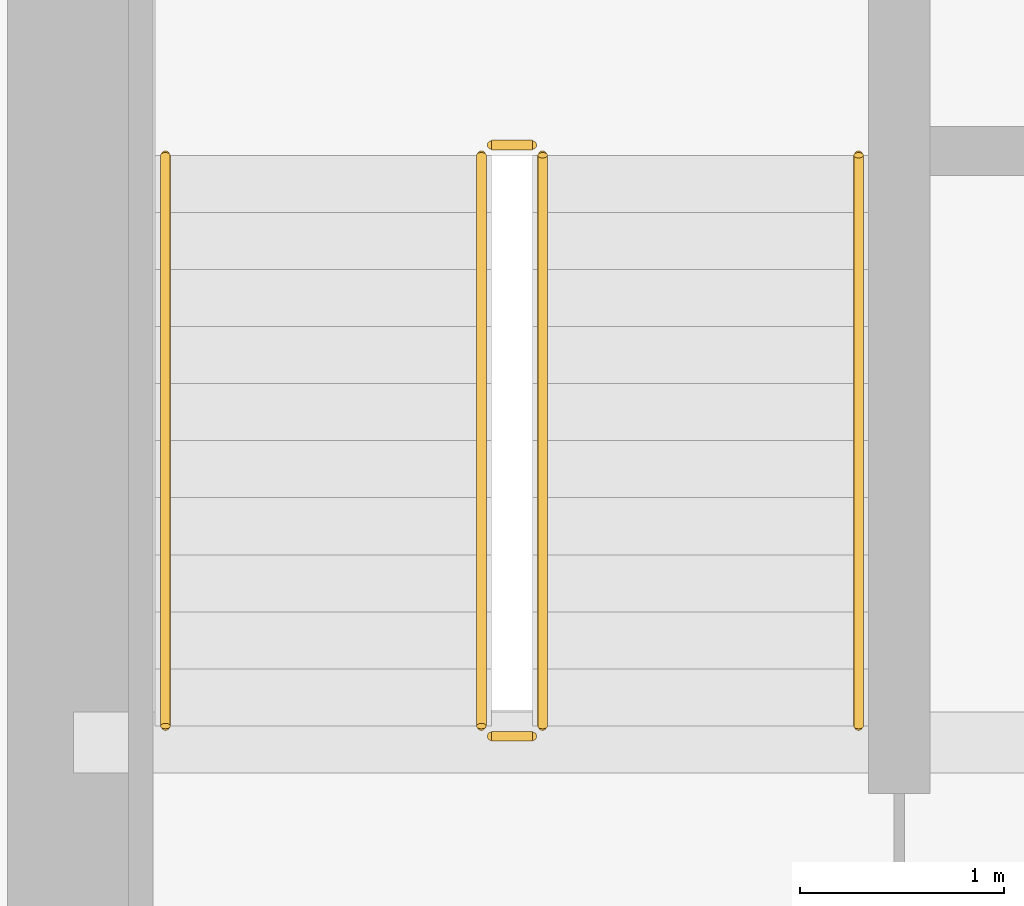
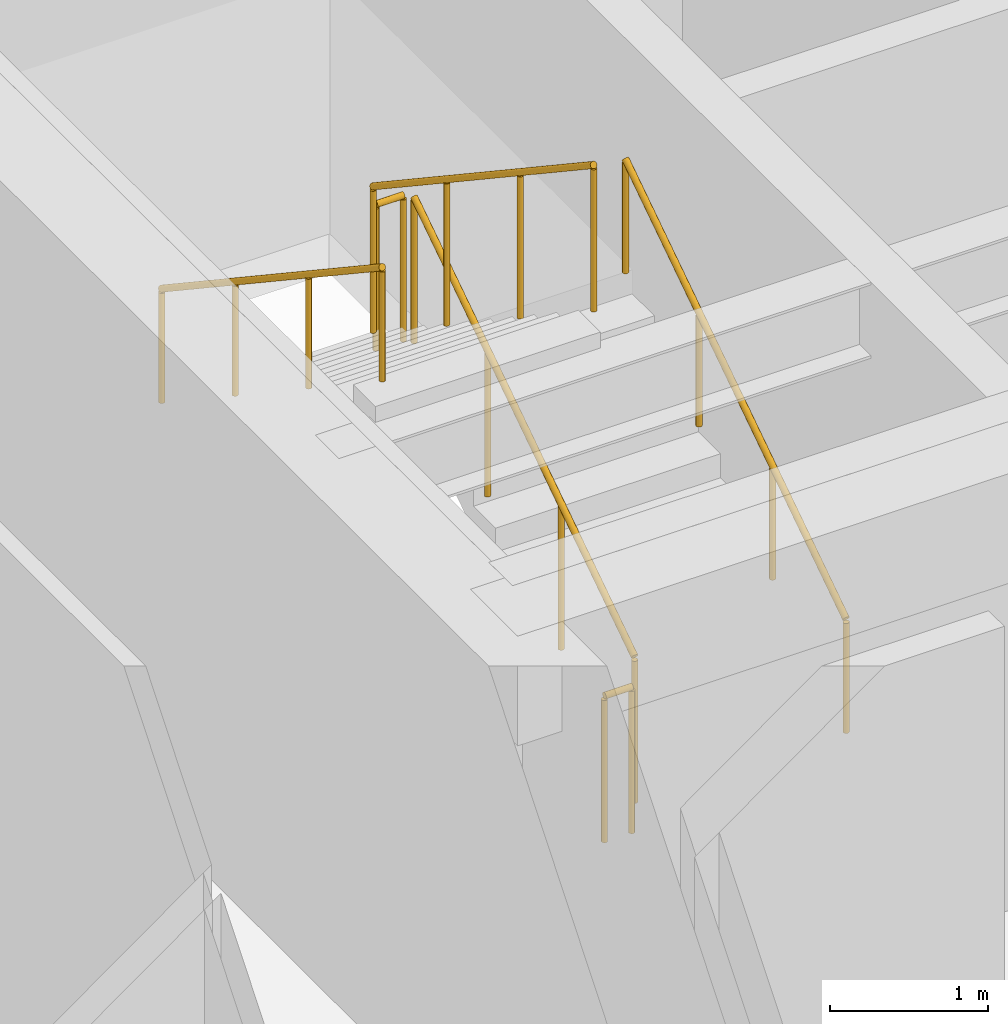
# One storey, part 29 of 30: 6 railings.
"""IFC4 building model written with IfcOpenShell, lengths in metres."""

from ifc_helpers import new_model, si_unit, direction, frame, origin, origin_2d, place, context, subcontext, project, spatial, circle, extrude, source, transform, mapped, material, type_object, type_shapes, element, save


model = new_model("IFC4")

# Units and contexts
model_context = context("Model", 3, precision=1e-05, world=origin(), true_north=direction((0.0, 1.0)))
body_context = subcontext(model_context, "Body", "Model", "MODEL_VIEW")
ifc_project = project(units=[si_unit("LENGTHUNIT", "METRE"), si_unit("AREAUNIT", "SQUARE_METRE"), si_unit("VOLUMEUNIT", "CUBIC_METRE"), si_unit("PLANEANGLEUNIT", "RADIAN"), si_unit("MASSUNIT", "GRAM", prefix="KILO")], contexts=[model_context])

# Site, building, storey
site_placement = place(None, origin())
site = spatial("IfcSite", under=ifc_project, at=site_placement, CompositionType="ELEMENT")
building_placement = place(site_placement, origin())
building = spatial("IfcBuilding", under=site, at=building_placement, Name="Haelvirn Gate Laboratories", CompositionType="ELEMENT")
storey_placement = place(building_placement, frame((0.0, 0.0, 170.699951171875)))
storey = spatial("IfcBuildingStorey", under=building, at=storey_placement, Name="L41", CompositionType="ELEMENT", Elevation=170.699951171875)

# Railings
ifc_material_1 = material(Name="Galvanised steel SM355 & stainless top rail", Category="steel")
railing_type_1 = type_object("IfcRailingType", Name="RL-GUARD-1150", PredefinedType="GUARDRAIL", material=ifc_material_1)
shared_shape_1 = source(origin(), body_context, "Body", "SweptSolid", [
    extrude(circle(Radius=0.02392578125, at=origin_2d()), frame((0.0, 0.0, 1.1259765625), z_axis=(-1.0, 0.0, 0.0), x_axis=(0.0, -1.0, 0.0)), (0.0, 0.0, 1.0), 0.199951171875),
    extrude(circle(Radius=0.02099609375, at=origin_2d()), origin(), (0.0, 0.0, 1.0), 1.101806640625),
    extrude(circle(Radius=0.02099609375, at=origin_2d()), frame((-0.199951171875, 0.0, 0.0)), (0.0, 0.0, 1.0), 1.101806640625),
])
for number, where, name in (
    (1, (9.64990234375, 29.550048828125, 2.050048828125), "L41 ST1 stair guard 2"),
    (2, (9.64990234375, 26.64990234375, 0.0), "L41 ST1 stair guard 4"),
):
    element("IfcRailing", number, at=place(storey_placement, frame(where)), inside=storey, type_object=railing_type_1, Name=name, PredefinedType="GUARDRAIL", context=body_context, shape_type="MappedRepresentation", body=[
        mapped(shared_shape_1, transform((0.0, 0.0, 0.0), scale=1.0)),
    ])
shared_shape_2 = source(origin(), body_context, "Body", "SweptSolid", [
    extrude(circle(Radius=0.02392578125, at=origin_2d()), frame((0.0, 0.0, 1.1259765625), z_axis=(0.0, 0.832485552168, 0.554046753832), x_axis=(-1.0, 0.0, 0.0)), (0.0, 0.0, 1.0), 3.363525390625),
    extrude(circle(Radius=0.02099609375, at=origin_2d()), origin(), (0.0, 0.0, 1.0), 1.101806640625),
    extrude(circle(Radius=0.02099609375, at=origin_2d()), frame((0.0, 0.933349609375, 0.62109375)), (0.0, 0.0, 1.0), 1.101806640625),
    extrude(circle(Radius=0.02099609375, at=origin_2d()), frame((0.0, 1.86669921875, 1.242431640625)), (0.0, 0.0, 1.0), 1.101806640625),
    extrude(circle(Radius=0.02099609375, at=origin_2d()), frame((0.0, 2.800048828125, 1.863525390625)), (0.0, 0.0, 1.0), 1.101806640625),
])
railing_1_placement = place(storey_placement, frame((9.699951171875, 26.699951171875, 0.1865234375)))
element("IfcRailing", 3, at=railing_1_placement, inside=storey, type_object=railing_type_1, Name="L41 ST1 stair guard 1", PredefinedType="GUARDRAIL", context=body_context, shape_type="MappedRepresentation", body=[
    mapped(shared_shape_2, transform((0.0, 0.0, 0.0), scale=1.0)),
])
shared_shape_3 = source(origin(), body_context, "Body", "SweptSolid", [
    extrude(circle(Radius=0.02392578125, at=origin_2d()), frame((0.0, 0.0, 1.1259765625), z_axis=(0.0, -0.832452072856, 0.554097055034), x_axis=(1.0, 0.0, 0.0)), (0.0, 0.0, 1.0), 3.363525390625),
    extrude(circle(Radius=0.02099609375, at=origin_2d()), origin(), (0.0, 0.0, 1.0), 1.101806640625),
    extrude(circle(Radius=0.02099609375, at=origin_2d()), frame((0.0, -0.933349609375, 0.621337890625)), (0.0, 0.0, 1.0), 1.101806640625),
    extrude(circle(Radius=0.02099609375, at=origin_2d()), frame((0.0, -1.86669921875, 1.242431640625)), (0.0, 0.0, 1.0), 1.101806640625),
    extrude(circle(Radius=0.02099609375, at=origin_2d()), frame((0.0, -2.800048828125, 1.86376953125)), (0.0, 0.0, 1.0), 1.101806640625),
])
type_shapes(railing_type_1, [shared_shape_1, shared_shape_2, shared_shape_3])
railing_2_placement = place(storey_placement, frame((9.39990234375, 29.5, 2.236328125)))
element("IfcRailing", 4, at=railing_2_placement, inside=storey, type_object=railing_type_1, Name="L41 ST1 stair guard 3", PredefinedType="GUARDRAIL", context=body_context, shape_type="MappedRepresentation", body=[
    mapped(shared_shape_3, transform((0.0, 0.0, 0.0), scale=1.0)),
])
ifc_material_2 = material(Name="Brushed stainless steel 316L", Category="steel")
railing_type_2 = type_object("IfcRailingType", Name="RL-HAND-920", PredefinedType="HANDRAIL", material=ifc_material_2)
shared_shape_4 = source(origin(), body_context, "Body", "SweptSolid", [
    extrude(circle(Radius=0.02392578125, at=origin_2d()), frame((0.0, 0.0, 0.8759765625), z_axis=(0.0, 0.832485552168, 0.554046753832), x_axis=(-1.0, 0.0, 0.0)), (0.0, 0.0, 1.0), 3.363525390625),
    extrude(circle(Radius=0.02099609375, at=origin_2d()), origin(), (0.0, 0.0, 1.0), 0.851806640625),
    extrude(circle(Radius=0.02099609375, at=origin_2d()), frame((0.0, 0.933349609375, 0.62109375)), (0.0, 0.0, 1.0), 0.851806640625),
    extrude(circle(Radius=0.02099609375, at=origin_2d()), frame((0.0, 1.86669921875, 1.242431640625)), (0.0, 0.0, 1.0), 0.851806640625),
    extrude(circle(Radius=0.02099609375, at=origin_2d()), frame((0.0, 2.800048828125, 1.863525390625)), (0.0, 0.0, 1.0), 0.851806640625),
])
railing_3_placement = place(storey_placement, frame((11.25, 26.699951171875, 0.1865234375)))
element("IfcRailing", 5, at=railing_3_placement, inside=storey, type_object=railing_type_2, Name="L41 ST1 stair handrail 1", PredefinedType="HANDRAIL", context=body_context, shape_type="MappedRepresentation", body=[
    mapped(shared_shape_4, transform((0.0, 0.0, 0.0), scale=1.0)),
])
shared_shape_5 = source(origin(), body_context, "Body", "SweptSolid", [
    extrude(circle(Radius=0.02392578125, at=origin_2d()), frame((0.0, 0.0, 0.8759765625), z_axis=(0.0, -0.832452072856, 0.554097055034), x_axis=(1.0, 0.0, 0.0)), (0.0, 0.0, 1.0), 3.363525390625),
    extrude(circle(Radius=0.02099609375, at=origin_2d()), origin(), (0.0, 0.0, 1.0), 0.851806640625),
    extrude(circle(Radius=0.02099609375, at=origin_2d()), frame((0.0, -0.933349609375, 0.621337890625)), (0.0, 0.0, 1.0), 0.851806640625),
    extrude(circle(Radius=0.02099609375, at=origin_2d()), frame((0.0, -1.86669921875, 1.242431640625)), (0.0, 0.0, 1.0), 0.851806640625),
    extrude(circle(Radius=0.02099609375, at=origin_2d()), frame((0.0, -2.800048828125, 1.86376953125)), (0.0, 0.0, 1.0), 0.851806640625),
])
type_shapes(railing_type_2, [shared_shape_4, shared_shape_5])
railing_4_placement = place(storey_placement, frame((7.85009765625, 29.5, 2.236328125)))
element("IfcRailing", 6, at=railing_4_placement, inside=storey, type_object=railing_type_2, Name="L41 ST1 stair handrail 2", PredefinedType="HANDRAIL", context=body_context, shape_type="MappedRepresentation", body=[
    mapped(shared_shape_5, transform((0.0, 0.0, 0.0), scale=1.0)),
])

save(model, "model.ifc")
